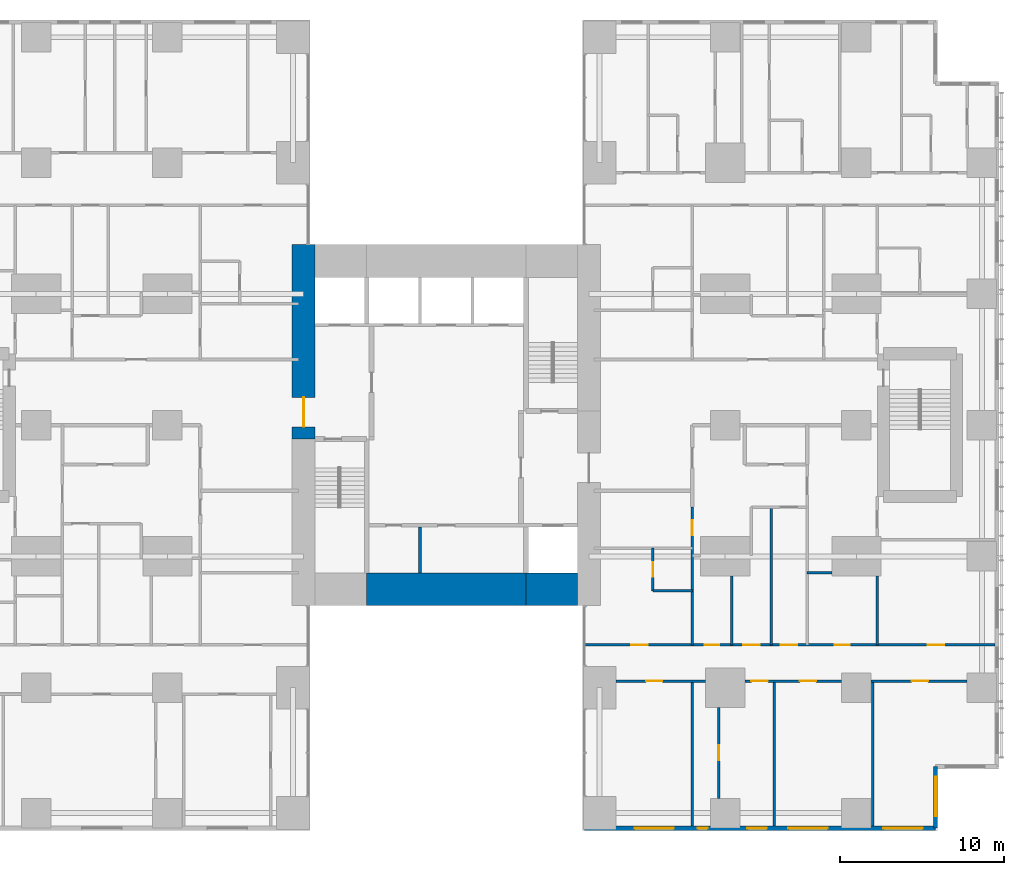
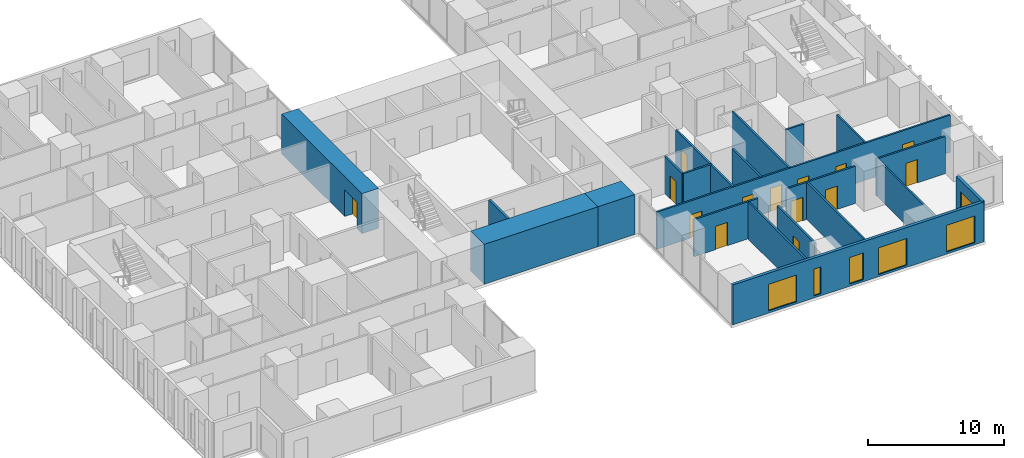
# One storey, part 14 of 20: 21 walls, 14 doors, 6 windows, 20 openings.
"""IFC4 building model written with IfcOpenShell, lengths in metres."""

from ifc_helpers import new_model, si_unit, direction, frame, frame_2d, origin, place, context, subcontext, project, spatial, rectangle, extrude, material, layer, layer_set, type_object, element, fill, save


model = new_model("IFC4")

# Units and contexts
model_context = context("Model", 3, precision=1e-05, world=origin(), true_north=direction((0.0, 1.0)))
body_context = subcontext(model_context, "Body", "Model", "MODEL_VIEW")
ifc_project = project(units=[si_unit("LENGTHUNIT", "METRE"), si_unit("AREAUNIT", "SQUARE_METRE"), si_unit("VOLUMEUNIT", "CUBIC_METRE"), si_unit("PLANEANGLEUNIT", "RADIAN"), si_unit("MASSUNIT", "GRAM", prefix="KILO")], contexts=[model_context])

# Site, building, storey
site_placement = place(None, origin())
site = spatial("IfcSite", under=ifc_project, at=site_placement, CompositionType="ELEMENT")
building_placement = place(site_placement, origin())
building = spatial("IfcBuilding", under=site, at=building_placement, Name="Cleftline Residences", CompositionType="ELEMENT")
storey_placement = place(building_placement, frame((0.0, 0.0, 193.0)))
storey = spatial("IfcBuildingStorey", under=building, at=storey_placement, Name="L50", CompositionType="ELEMENT", Elevation=193.0)

# Wall, opening, door
ifc_material_1 = material(Name="Concrete B70", Category="concrete")
ifc_layer_1 = layer(ifc_material_1, 1.39990234375)
ifc_layer_set_1 = layer_set([ifc_layer_1], Name="CORE WALL 1400")
wall_type_1 = type_object("IfcWallType", Name="CORE WALL 1400", PredefinedType="SHEAR", material=ifc_layer_set_1)
wall_1_placement = place(storey_placement, frame((24.300048828125, 23.14990234375, 0.0), z_axis=(0.0, 0.0, 1.0), x_axis=(0.0, 1.0, 0.0)))
wall_1 = element("IfcWall", 1, at=wall_1_placement, inside=storey, type_object=wall_type_1, Name="Core wall W", PredefinedType="SHEAR", context=body_context, shape_type="SweptSolid", body=[
    extrude(rectangle(XDim=11.85009765625, YDim=1.39990234375, at=frame_2d((5.925048828125, 0.0))), origin(), (0.0, 0.0, 1.0), 3.60009765625),
])
opening_1_placement = place(wall_1_placement, frame((0.75, 0.0, 0.0)))
opening_1 = element("IfcOpeningElement", 2, at=opening_1_placement, cuts=wall_1, Name="Opening D7", PredefinedType="OPENING", context=body_context, shape_type="SweptSolid", body=[
    extrude(rectangle(XDim=1.800048828125, YDim=2.39990234375, at=frame_2d((0.89990234375, 1.199951171875))), frame((0.0, 0.7099609375, 0.0), z_axis=(0.0, -1.0, 0.0), x_axis=(1.0, 0.0, 0.0)), (0.0, 0.0, 1.0), 1.419921875),
])
ifc_material_2 = material(Name="Steel", Category="steel")
door_type_1 = type_object("IfcDoorType", Name="WING DOOR 1800X2400", OperationType="DOUBLE_DOOR_DOUBLE_SWING", PredefinedType="DOOR", material=ifc_material_2)
door_1_placement = place(opening_1_placement, origin())
door_1 = element("IfcDoor", 3, at=door_1_placement, inside=storey, type_object=door_type_1, Name="West wing door", OperationType="DOUBLE_DOOR_DOUBLE_SWING", OverallHeight=2.39990234375, OverallWidth=1.800048828125, PredefinedType="DOOR", context=body_context, shape_type="SweptSolid", body=[
    extrude(rectangle(XDim=1.800048828125, YDim=2.39990234375, at=frame_2d((0.89990234375, 1.199951171875))), frame((0.0, 0.02490234375, 0.0), z_axis=(0.0, -1.0, 0.0), x_axis=(1.0, 0.0, 0.0)), (0.0, 0.0, 1.0), 0.050048828125),
])
fill(opening_1, door_1)

# Walls
ifc_material_3 = material(Name="Concrete B70", Category="concrete")
ifc_layer_2 = layer(ifc_material_3, 2.0)
ifc_layer_set_2 = layer_set([ifc_layer_2], Name="CORE WALL 2000")
wall_type_2 = type_object("IfcWallType", Name="CORE WALL 2000", PredefinedType="SHEAR", material=ifc_layer_set_2)
wall_2_placement = place(storey_placement, frame((28.14990234375, 14.0, 0.0), z_axis=(0.0, 0.0, 1.0), x_axis=(1.0, 0.0, 0.0)))
element("IfcWall", 4, at=wall_2_placement, inside=storey, type_object=wall_type_2, Name="Core wall S2", PredefinedType="SHEAR", context=body_context, shape_type="SweptSolid", body=[
    extrude(rectangle(XDim=9.7001953125, YDim=2.0, at=frame_2d((4.85009765625, 0.0))), origin(), (0.0, 0.0, 1.0), 3.60009765625),
])
wall_3_placement = place(storey_placement, frame((37.85009765625, 14.0, 0.0), z_axis=(0.0, 0.0, 1.0), x_axis=(1.0, 0.0, 0.0)))
element("IfcWall", 5, at=wall_3_placement, inside=storey, type_object=wall_type_2, Name="Core wall S3", PredefinedType="SHEAR", context=body_context, shape_type="SweptSolid", body=[
    extrude(rectangle(XDim=3.14990234375, YDim=2.0, at=frame_2d((1.574951171875, 0.0))), origin(), (0.0, 0.0, 1.0), 3.60009765625),
])

# Wall, openings, windows
ifc_material_4 = material(Name="Rendered reinforced concrete blockwork", Category="masonry")
ifc_layer_3 = layer(ifc_material_4, 0.25)
ifc_layer_set_3 = layer_set([ifc_layer_3], Name="EXTERNAL WALL 250")
wall_type_3 = type_object("IfcWallType", Name="EXTERNAL WALL 250", PredefinedType="SOLIDWALL", material=ifc_layer_set_3)
wall_4_placement = place(storey_placement, frame((41.425048828125, -0.574951171875, 0.0), z_axis=(0.0, 0.0, 1.0), x_axis=(1.0, 0.0, 0.0)))
wall_4 = element("IfcWall", 6, at=wall_4_placement, inside=storey, type_object=wall_type_3, Name="External wall", PredefinedType="SOLIDWALL", context=body_context, shape_type="SweptSolid", body=[
    extrude(rectangle(XDim=21.39990234375, YDim=0.25, at=frame_2d((10.699951171875, 0.0))), origin(), (0.0, 0.0, 1.0), 3.60009765625),
])
opening_2_placement = place(wall_4_placement, frame((3.050048828125, 0.0, 0.199951171875)))
opening_2 = element("IfcOpeningElement", 7, at=opening_2_placement, cuts=wall_4, Name="Opening W9", PredefinedType="OPENING", context=body_context, shape_type="SweptSolid", body=[
    extrude(rectangle(XDim=2.39990234375, YDim=2.39990234375, at=frame_2d((1.199951171875, 1.199951171875))), frame((0.0, 0.135009765625, 0.0), z_axis=(0.0, -1.0, 0.0), x_axis=(1.0, 0.0, 0.0)), (0.0, 0.0, 1.0), 0.27001953125),
])
opening_3_placement = place(wall_4_placement, frame((6.89990234375, 0.0, 0.199951171875)))
opening_3 = element("IfcOpeningElement", 8, at=opening_3_placement, cuts=wall_4, Name="Opening W14", PredefinedType="OPENING", context=body_context, shape_type="SweptSolid", body=[
    extrude(rectangle(XDim=0.60009765625, YDim=2.39990234375, at=frame_2d((0.300048828125, 1.199951171875))), frame((0.0, 0.135009765625, 0.0), z_axis=(0.0, -1.0, 0.0), x_axis=(1.0, 0.0, 0.0)), (0.0, 0.0, 1.0), 0.27001953125),
])
opening_4_placement = place(wall_4_placement, frame((9.925048828125, 0.0, 0.199951171875)))
opening_4 = element("IfcOpeningElement", 9, at=opening_4_placement, cuts=wall_4, Name="Opening W13", PredefinedType="OPENING", context=body_context, shape_type="SweptSolid", body=[
    extrude(rectangle(XDim=1.199951171875, YDim=2.39990234375, at=frame_2d((0.60009765625, 1.199951171875))), frame((0.0, 0.135009765625, 0.0), z_axis=(0.0, -1.0, 0.0), x_axis=(1.0, 0.0, 0.0)), (0.0, 0.0, 1.0), 0.27001953125),
])
opening_5_placement = place(wall_4_placement, frame((12.425048828125, 0.0, 0.199951171875)))
opening_5 = element("IfcOpeningElement", 10, at=opening_5_placement, cuts=wall_4, Name="Opening W9", PredefinedType="OPENING", context=body_context, shape_type="SweptSolid", body=[
    extrude(rectangle(XDim=2.39990234375, YDim=2.39990234375, at=frame_2d((1.199951171875, 1.199951171875))), frame((0.0, 0.135009765625, 0.0), z_axis=(0.0, -1.0, 0.0), x_axis=(1.0, 0.0, 0.0)), (0.0, 0.0, 1.0), 0.27001953125),
])
opening_6_placement = place(wall_4_placement, frame((18.22509765625, 0.0, 0.199951171875)))
opening_6 = element("IfcOpeningElement", 11, at=opening_6_placement, cuts=wall_4, Name="Opening W9", PredefinedType="OPENING", context=body_context, shape_type="SweptSolid", body=[
    extrude(rectangle(XDim=2.39990234375, YDim=2.39990234375, at=frame_2d((1.199951171875, 1.199951171875))), frame((0.0, 0.135009765625, 0.0), z_axis=(0.0, -1.0, 0.0), x_axis=(1.0, 0.0, 0.0)), (0.0, 0.0, 1.0), 0.27001953125),
])
ifc_material_5 = material(Name="Aluminium frame, clear double glazing", Category="aluminium")
window_type_1 = type_object("IfcWindowType", Name="WINDOW 1200X2400", PartitioningType="DOUBLE_PANEL_VERTICAL", PredefinedType="WINDOW", material=ifc_material_5)
window_1_placement = place(opening_4_placement, origin())
window_1 = element("IfcWindow", 12, at=window_1_placement, inside=storey, type_object=window_type_1, Name="Window", OverallHeight=2.39990234375, OverallWidth=1.199951171875, PartitioningType="SINGLE_PANEL", PredefinedType="WINDOW", context=body_context, shape_type="SweptSolid", body=[
    extrude(rectangle(XDim=1.199951171875, YDim=2.39990234375, at=frame_2d((0.60009765625, 1.199951171875))), frame((0.0, 0.030029296875, 0.0), z_axis=(0.0, -1.0, 0.0), x_axis=(1.0, 0.0, 0.0)), (0.0, 0.0, 1.0), 0.06005859375),
])
fill(opening_4, window_1)
ifc_material_6 = material(Name="Aluminium frame, clear double glazing", Category="aluminium")
window_type_2 = type_object("IfcWindowType", Name="WINDOW 2400X2400", PartitioningType="DOUBLE_PANEL_VERTICAL", PredefinedType="WINDOW", material=ifc_material_6)
window_2_placement = place(opening_2_placement, origin())
window_2 = element("IfcWindow", 13, at=window_2_placement, inside=storey, type_object=window_type_2, Name="Window", OverallHeight=2.39990234375, OverallWidth=2.39990234375, PartitioningType="SINGLE_PANEL", PredefinedType="WINDOW", context=body_context, shape_type="SweptSolid", body=[
    extrude(rectangle(XDim=2.39990234375, YDim=2.39990234375, at=frame_2d((1.199951171875, 1.199951171875))), frame((0.0, 0.030029296875, 0.0), z_axis=(0.0, -1.0, 0.0), x_axis=(1.0, 0.0, 0.0)), (0.0, 0.0, 1.0), 0.06005859375),
])
fill(opening_2, window_2)
window_3_placement = place(opening_5_placement, origin())
window_3 = element("IfcWindow", 14, at=window_3_placement, inside=storey, type_object=window_type_2, Name="Window", OverallHeight=2.39990234375, OverallWidth=2.39990234375, PartitioningType="SINGLE_PANEL", PredefinedType="WINDOW", context=body_context, shape_type="SweptSolid", body=[
    extrude(rectangle(XDim=2.39990234375, YDim=2.39990234375, at=frame_2d((1.199951171875, 1.199951171875))), frame((0.0, 0.030029296875, 0.0), z_axis=(0.0, -1.0, 0.0), x_axis=(1.0, 0.0, 0.0)), (0.0, 0.0, 1.0), 0.06005859375),
])
fill(opening_5, window_3)
window_4_placement = place(opening_6_placement, origin())
window_4 = element("IfcWindow", 15, at=window_4_placement, inside=storey, type_object=window_type_2, Name="Window", OverallHeight=2.39990234375, OverallWidth=2.39990234375, PartitioningType="SINGLE_PANEL", PredefinedType="WINDOW", context=body_context, shape_type="SweptSolid", body=[
    extrude(rectangle(XDim=2.39990234375, YDim=2.39990234375, at=frame_2d((1.199951171875, 1.199951171875))), frame((0.0, 0.030029296875, 0.0), z_axis=(0.0, -1.0, 0.0), x_axis=(1.0, 0.0, 0.0)), (0.0, 0.0, 1.0), 0.06005859375),
])
fill(opening_6, window_4)
ifc_material_7 = material(Name="Aluminium frame, clear double glazing", Category="aluminium")
window_type_3 = type_object("IfcWindowType", Name="WINDOW 600X2400", PartitioningType="DOUBLE_PANEL_VERTICAL", PredefinedType="WINDOW", material=ifc_material_7)
window_5_placement = place(opening_3_placement, origin())
window_5 = element("IfcWindow", 16, at=window_5_placement, inside=storey, type_object=window_type_3, Name="Window", OverallHeight=2.39990234375, OverallWidth=0.60009765625, PartitioningType="SINGLE_PANEL", PredefinedType="WINDOW", context=body_context, shape_type="SweptSolid", body=[
    extrude(rectangle(XDim=0.60009765625, YDim=2.39990234375, at=frame_2d((0.300048828125, 1.199951171875))), frame((0.0, 0.030029296875, 0.0), z_axis=(0.0, -1.0, 0.0), x_axis=(1.0, 0.0, 0.0)), (0.0, 0.0, 1.0), 0.06005859375),
])
fill(opening_3, window_5)

# Wall, opening, window
wall_5_placement = place(storey_placement, frame((62.824951171875, -0.574951171875, 0.0), z_axis=(0.0, 0.0, 1.0), x_axis=(0.0, 1.0, 0.0)))
wall_5 = element("IfcWall", 17, at=wall_5_placement, inside=storey, type_object=wall_type_3, Name="External wall", PredefinedType="SOLIDWALL", context=body_context, shape_type="SweptSolid", body=[
    extrude(rectangle(XDim=3.75, YDim=0.25, at=frame_2d((1.875, 0.0))), origin(), (0.0, 0.0, 1.0), 3.60009765625),
])
opening_7_placement = place(wall_5_placement, frame((0.737548828125, 0.0, 0.199951171875)))
opening_7 = element("IfcOpeningElement", 18, at=opening_7_placement, cuts=wall_5, Name="Opening W9", PredefinedType="OPENING", context=body_context, shape_type="SweptSolid", body=[
    extrude(rectangle(XDim=2.39990234375, YDim=2.39990234375, at=frame_2d((1.199951171875, 1.199951171875))), frame((0.0, 0.135009765625, 0.0), z_axis=(0.0, -1.0, 0.0), x_axis=(1.0, 0.0, 0.0)), (0.0, 0.0, 1.0), 0.27001953125),
])
window_6_placement = place(opening_7_placement, origin())
window_6 = element("IfcWindow", 19, at=window_6_placement, inside=storey, type_object=window_type_2, Name="Window", OverallHeight=2.39990234375, OverallWidth=2.39990234375, PartitioningType="SINGLE_PANEL", PredefinedType="WINDOW", context=body_context, shape_type="SweptSolid", body=[
    extrude(rectangle(XDim=2.39990234375, YDim=2.39990234375, at=frame_2d((1.199951171875, 1.199951171875))), frame((0.0, 0.030029296875, 0.0), z_axis=(0.0, -1.0, 0.0), x_axis=(1.0, 0.0, 0.0)), (0.0, 0.0, 1.0), 0.06005859375),
])
fill(opening_7, window_6)

# Wall, opening, door
ifc_material_8 = material(Name="Gypsum board on steel studs", Category="steel")
ifc_layer_4 = layer(ifc_material_8, 0.14990234375)
ifc_layer_set_4 = layer_set([ifc_layer_4], Name="PARTITION 150")
wall_type_4 = type_object("IfcWallType", Name="PARTITION 150", PredefinedType="PARTITIONING", material=ifc_layer_set_4)
wall_6_placement = place(storey_placement, frame((43.35009765625, 8.39990234375, 0.0), z_axis=(0.0, 0.0, 1.0), x_axis=(1.0, 0.0, 0.0)))
wall_6 = element("IfcWall", 20, at=wall_6_placement, inside=storey, type_object=wall_type_4, Name="Partition", PredefinedType="PARTITIONING", context=body_context, shape_type="SweptSolid", body=[
    extrude(rectangle(XDim=5.449951171875, YDim=0.14990234375, at=frame_2d((2.72509765625, 0.0))), origin(), (0.0, 0.0, 1.0), 3.35009765625),
])
opening_8_placement = place(wall_6_placement, frame((1.824951171875, 0.0, 0.0)))
opening_8 = element("IfcOpeningElement", 21, at=opening_8_placement, cuts=wall_6, Name="Opening D2", PredefinedType="OPENING", context=body_context, shape_type="SweptSolid", body=[
    extrude(rectangle(XDim=1.0, YDim=2.10009765625, at=frame_2d((0.5, 1.050048828125))), frame((0.0, 0.0849609375, 0.0), z_axis=(0.0, -1.0, 0.0), x_axis=(1.0, 0.0, 0.0)), (0.0, 0.0, 1.0), 0.169921875),
])
ifc_material_9 = material(Name="Timber veneer on solid core", Category="wood")
door_type_2 = type_object("IfcDoorType", Name="DOOR 1000X2100", OperationType="SINGLE_SWING_LEFT", PredefinedType="DOOR", material=ifc_material_9)
door_2_placement = place(opening_8_placement, origin())
door_2 = element("IfcDoor", 22, at=door_2_placement, inside=storey, type_object=door_type_2, Name="Door to breakfast room", OperationType="SINGLE_SWING_RIGHT", OverallHeight=2.10009765625, OverallWidth=1.0, PredefinedType="DOOR", context=body_context, shape_type="SweptSolid", body=[
    extrude(rectangle(XDim=1.0, YDim=2.10009765625, at=frame_2d((0.5, 1.050048828125))), frame((0.0, 0.02490234375, 0.0), z_axis=(0.0, -1.0, 0.0), x_axis=(1.0, 0.0, 0.0)), (0.0, 0.0, 1.0), 0.050048828125),
])
fill(opening_8, door_2)

# Wall, openings, doors
wall_7_placement = place(storey_placement, frame((51.199951171875, 8.39990234375, 0.0), z_axis=(0.0, 0.0, 1.0), x_axis=(1.0, 0.0, 0.0)))
wall_7 = element("IfcWall", 23, at=wall_7_placement, inside=storey, type_object=wall_type_4, Name="Partition", PredefinedType="PARTITIONING", context=body_context, shape_type="SweptSolid", body=[
    extrude(rectangle(XDim=5.900146484375, YDim=0.14990234375, at=frame_2d((2.9501953125, 0.0))), origin(), (0.0, 0.0, 1.0), 3.35009765625),
])
opening_9_placement = place(wall_7_placement, frame((3.35009765625, 0.0, 0.0)))
opening_9 = element("IfcOpeningElement", 24, at=opening_9_placement, cuts=wall_7, Name="Opening D2", PredefinedType="OPENING", context=body_context, shape_type="SweptSolid", body=[
    extrude(rectangle(XDim=1.0, YDim=2.10009765625, at=frame_2d((0.5, 1.050048828125))), frame((0.0, 0.0849609375, 0.0), z_axis=(0.0, -1.0, 0.0), x_axis=(1.0, 0.0, 0.0)), (0.0, 0.0, 1.0), 0.169921875),
])
opening_10_placement = place(wall_7_placement, frame((0.39990234375, 0.0, 0.0)))
opening_10 = element("IfcOpeningElement", 25, at=opening_10_placement, cuts=wall_7, Name="Opening D2", PredefinedType="OPENING", context=body_context, shape_type="SweptSolid", body=[
    extrude(rectangle(XDim=1.0, YDim=2.10009765625, at=frame_2d((0.5, 1.050048828125))), frame((0.0, 0.0849609375, 0.0), z_axis=(0.0, -1.0, 0.0), x_axis=(1.0, 0.0, 0.0)), (0.0, 0.0, 1.0), 0.169921875),
])
door_3_placement = place(opening_9_placement, origin())
door_3 = element("IfcDoor", 26, at=door_3_placement, inside=storey, type_object=door_type_2, Name="Door to dining room", OperationType="SINGLE_SWING_LEFT", OverallHeight=2.10009765625, OverallWidth=1.0, PredefinedType="DOOR", context=body_context, shape_type="SweptSolid", body=[
    extrude(rectangle(XDim=1.0, YDim=2.10009765625, at=frame_2d((0.5, 1.050048828125))), frame((0.0, 0.02490234375, 0.0), z_axis=(0.0, -1.0, 0.0), x_axis=(1.0, 0.0, 0.0)), (0.0, 0.0, 1.0), 0.050048828125),
])
fill(opening_9, door_3)
door_4_placement = place(opening_10_placement, origin())
door_4 = element("IfcDoor", 27, at=door_4_placement, inside=storey, type_object=door_type_2, Name="Door to show kitchen", OperationType="SINGLE_SWING_RIGHT", OverallHeight=2.10009765625, OverallWidth=1.0, PredefinedType="DOOR", context=body_context, shape_type="SweptSolid", body=[
    extrude(rectangle(XDim=1.0, YDim=2.10009765625, at=frame_2d((0.5, 1.050048828125))), frame((0.0, 0.02490234375, 0.0), z_axis=(0.0, -1.0, 0.0), x_axis=(1.0, 0.0, 0.0)), (0.0, 0.0, 1.0), 0.050048828125),
])
fill(opening_10, door_4)

# Wall, opening, door
wall_8_placement = place(storey_placement, frame((58.89990234375, 8.39990234375, 0.0), z_axis=(0.0, 0.0, 1.0), x_axis=(1.0, 0.0, 0.0)))
wall_8 = element("IfcWall", 28, at=wall_8_placement, inside=storey, type_object=wall_type_4, Name="Partition", PredefinedType="PARTITIONING", context=body_context, shape_type="SweptSolid", body=[
    extrude(rectangle(XDim=5.85009765625, YDim=0.14990234375, at=frame_2d((2.925048828125, 0.0))), origin(), (0.0, 0.0, 1.0), 3.35009765625),
])
opening_11_placement = place(wall_8_placement, frame((2.47509765625, 0.0, 0.0)))
opening_11 = element("IfcOpeningElement", 29, at=opening_11_placement, cuts=wall_8, Name="Opening D2", PredefinedType="OPENING", context=body_context, shape_type="SweptSolid", body=[
    extrude(rectangle(XDim=1.0, YDim=2.10009765625, at=frame_2d((0.5, 1.050048828125))), frame((0.0, 0.0849609375, 0.0), z_axis=(0.0, -1.0, 0.0), x_axis=(1.0, 0.0, 0.0)), (0.0, 0.0, 1.0), 0.169921875),
])
door_5_placement = place(opening_11_placement, origin())
door_5 = element("IfcDoor", 30, at=door_5_placement, inside=storey, type_object=door_type_2, Name="Door to music room", OperationType="SINGLE_SWING_LEFT", OverallHeight=2.10009765625, OverallWidth=1.0, PredefinedType="DOOR", context=body_context, shape_type="SweptSolid", body=[
    extrude(rectangle(XDim=1.0, YDim=2.10009765625, at=frame_2d((0.5, 1.050048828125))), frame((0.0, 0.02490234375, 0.0), z_axis=(0.0, -1.0, 0.0), x_axis=(1.0, 0.0, 0.0)), (0.0, 0.0, 1.0), 0.050048828125),
])
fill(opening_11, door_5)

# Wall, openings, doors
wall_9_placement = place(storey_placement, frame((41.43896484375, 10.60009765625, 0.0), z_axis=(0.0, 0.0, 1.0), x_axis=(1.0, 0.0, 0.0)))
wall_9 = element("IfcWall", 31, at=wall_9_placement, inside=storey, type_object=wall_type_4, Name="Partition", PredefinedType="PARTITIONING", context=body_context, shape_type="SweptSolid", body=[
    extrude(rectangle(XDim=25.010986328125, YDim=0.14990234375, at=frame_2d((12.50537109375, 0.0))), origin(), (0.0, 0.0, 1.0), 3.35009765625),
])
opening_12_placement = place(wall_9_placement, frame((11.9609375, 0.0, 0.0)))
opening_12 = element("IfcOpeningElement", 32, at=opening_12_placement, cuts=wall_9, Name="Opening D2", PredefinedType="OPENING", context=body_context, shape_type="SweptSolid", body=[
    extrude(rectangle(XDim=1.0, YDim=2.10009765625, at=frame_2d((0.5, 1.050048828125))), frame((0.0, 0.0849609375, 0.0), z_axis=(0.0, -1.0, 0.0), x_axis=(1.0, 0.0, 0.0)), (0.0, 0.0, 1.0), 0.169921875),
])
opening_13_placement = place(wall_9_placement, frame((20.923583984375, 0.0, 0.0)))
opening_13 = element("IfcOpeningElement", 33, at=opening_13_placement, cuts=wall_9, Name="Opening D2", PredefinedType="OPENING", context=body_context, shape_type="SweptSolid", body=[
    extrude(rectangle(XDim=1.0, YDim=2.10009765625, at=frame_2d((0.5, 1.050048828125))), frame((0.0, 0.0849609375, 0.0), z_axis=(0.0, -1.0, 0.0), x_axis=(1.0, 0.0, 0.0)), (0.0, 0.0, 1.0), 0.169921875),
])
opening_14_placement = place(wall_9_placement, frame((15.24853515625, 0.0, 0.0)))
opening_14 = element("IfcOpeningElement", 34, at=opening_14_placement, cuts=wall_9, Name="Opening D1", PredefinedType="OPENING", context=body_context, shape_type="SweptSolid", body=[
    extrude(rectangle(XDim=0.89990234375, YDim=2.10009765625, at=frame_2d((0.449951171875, 1.050048828125))), frame((0.0, 0.0849609375, 0.0), z_axis=(0.0, -1.0, 0.0), x_axis=(1.0, 0.0, 0.0)), (0.0, 0.0, 1.0), 0.169921875),
])
opening_15_placement = place(wall_9_placement, frame((9.660888671875, 0.0, 0.0)))
opening_15 = element("IfcOpeningElement", 35, at=opening_15_placement, cuts=wall_9, Name="Opening D2", PredefinedType="OPENING", context=body_context, shape_type="SweptSolid", body=[
    extrude(rectangle(XDim=1.0, YDim=2.10009765625, at=frame_2d((0.5, 1.050048828125))), frame((0.0, 0.0849609375, 0.0), z_axis=(0.0, -1.0, 0.0), x_axis=(1.0, 0.0, 0.0)), (0.0, 0.0, 1.0), 0.169921875),
])
opening_16_placement = place(wall_9_placement, frame((7.31103515625, 0.0, 0.0)))
opening_16 = element("IfcOpeningElement", 36, at=opening_16_placement, cuts=wall_9, Name="Opening D1", PredefinedType="OPENING", context=body_context, shape_type="SweptSolid", body=[
    extrude(rectangle(XDim=0.89990234375, YDim=2.10009765625, at=frame_2d((0.449951171875, 1.050048828125))), frame((0.0, 0.0849609375, 0.0), z_axis=(0.0, -1.0, 0.0), x_axis=(1.0, 0.0, 0.0)), (0.0, 0.0, 1.0), 0.169921875),
])
opening_17_placement = place(wall_9_placement, frame((2.8359375, 0.0, 0.0)))
opening_17 = element("IfcOpeningElement", 37, at=opening_17_placement, cuts=wall_9, Name="Opening D2", PredefinedType="OPENING", context=body_context, shape_type="SweptSolid", body=[
    extrude(rectangle(XDim=1.0, YDim=2.10009765625, at=frame_2d((0.5, 1.050048828125))), frame((0.0, 0.0849609375, 0.0), z_axis=(0.0, -1.0, 0.0), x_axis=(1.0, 0.0, 0.0)), (0.0, 0.0, 1.0), 0.169921875),
])
door_6_placement = place(opening_12_placement, origin())
door_6 = element("IfcDoor", 38, at=door_6_placement, inside=storey, type_object=door_type_2, Name="Door to residence hall", OperationType="SINGLE_SWING_RIGHT", OverallHeight=2.10009765625, OverallWidth=1.0, PredefinedType="DOOR", context=body_context, shape_type="SweptSolid", body=[
    extrude(rectangle(XDim=1.0, YDim=2.10009765625, at=frame_2d((0.5, 1.050048828125))), frame((0.0, 0.02490234375, 0.0), z_axis=(0.0, -1.0, 0.0), x_axis=(1.0, 0.0, 0.0)), (0.0, 0.0, 1.0), 0.050048828125),
])
fill(opening_12, door_6)
door_7_placement = place(opening_13_placement, origin())
door_7 = element("IfcDoor", 39, at=door_7_placement, inside=storey, type_object=door_type_2, Name="Door to sea-view great room", OperationType="SINGLE_SWING_LEFT", OverallHeight=2.10009765625, OverallWidth=1.0, PredefinedType="DOOR", context=body_context, shape_type="SweptSolid", body=[
    extrude(rectangle(XDim=1.0, YDim=2.10009765625, at=frame_2d((0.5, 1.050048828125))), frame((0.0, 0.02490234375, 0.0), z_axis=(0.0, -1.0, 0.0), x_axis=(1.0, 0.0, 0.0)), (0.0, 0.0, 1.0), 0.050048828125),
])
fill(opening_13, door_7)
door_8_placement = place(opening_15_placement, origin())
door_8 = element("IfcDoor", 40, at=door_8_placement, inside=storey, type_object=door_type_2, Name="Door to wet kitchen", OperationType="SINGLE_SWING_RIGHT", OverallHeight=2.10009765625, OverallWidth=1.0, PredefinedType="DOOR", context=body_context, shape_type="SweptSolid", body=[
    extrude(rectangle(XDim=1.0, YDim=2.10009765625, at=frame_2d((0.5, 1.050048828125))), frame((0.0, 0.02490234375, 0.0), z_axis=(0.0, -1.0, 0.0), x_axis=(1.0, 0.0, 0.0)), (0.0, 0.0, 1.0), 0.050048828125),
])
fill(opening_15, door_8)
door_9_placement = place(opening_17_placement, origin())
door_9 = element("IfcDoor", 41, at=door_9_placement, inside=storey, type_object=door_type_2, Name="Door to staff bedroom", OperationType="SINGLE_SWING_RIGHT", OverallHeight=2.10009765625, OverallWidth=1.0, PredefinedType="DOOR", context=body_context, shape_type="SweptSolid", body=[
    extrude(rectangle(XDim=1.0, YDim=2.10009765625, at=frame_2d((0.5, 1.050048828125))), frame((0.0, 0.02490234375, 0.0), z_axis=(0.0, -1.0, 0.0), x_axis=(1.0, 0.0, 0.0)), (0.0, 0.0, 1.0), 0.050048828125),
])
fill(opening_17, door_9)
ifc_material_10 = material(Name="Timber veneer on solid core", Category="wood")
door_type_3 = type_object("IfcDoorType", Name="DOOR 900X2100", OperationType="SINGLE_SWING_LEFT", PredefinedType="DOOR", material=ifc_material_10)
door_10_placement = place(opening_14_placement, origin())
door_10 = element("IfcDoor", 42, at=door_10_placement, inside=storey, type_object=door_type_3, Name="Door to wine room", OperationType="SINGLE_SWING_LEFT", OverallHeight=2.10009765625, OverallWidth=0.89990234375, PredefinedType="DOOR", context=body_context, shape_type="SweptSolid", body=[
    extrude(rectangle(XDim=0.89990234375, YDim=2.10009765625, at=frame_2d((0.449951171875, 1.050048828125))), frame((0.0, 0.02490234375, 0.0), z_axis=(0.0, -1.0, 0.0), x_axis=(1.0, 0.0, 0.0)), (0.0, 0.0, 1.0), 0.050048828125),
])
fill(opening_14, door_10)
door_11_placement = place(opening_16_placement, origin())
door_11 = element("IfcDoor", 43, at=door_11_placement, inside=storey, type_object=door_type_3, Name="Door to pantry", OperationType="SINGLE_SWING_RIGHT", OverallHeight=2.10009765625, OverallWidth=0.89990234375, PredefinedType="DOOR", context=body_context, shape_type="SweptSolid", body=[
    extrude(rectangle(XDim=0.89990234375, YDim=2.10009765625, at=frame_2d((0.449951171875, 1.050048828125))), frame((0.0, 0.02490234375, 0.0), z_axis=(0.0, -1.0, 0.0), x_axis=(1.0, 0.0, 0.0)), (0.0, 0.0, 1.0), 0.050048828125),
])
fill(opening_16, door_11)

# Walls
wall_10_placement = place(storey_placement, frame((45.60009765625, 13.89990234375, 0.0), z_axis=(0.0, 0.0, 1.0), x_axis=(1.0, 0.0, 0.0)))
element("IfcWall", 44, at=wall_10_placement, inside=storey, type_object=wall_type_4, Name="Partition", PredefinedType="PARTITIONING", context=body_context, shape_type="SweptSolid", body=[
    extrude(rectangle(XDim=2.39990234375, YDim=0.14990234375, at=frame_2d((1.199951171875, 0.0))), origin(), (0.0, 0.0, 1.0), 3.35009765625),
])
wall_11_placement = place(storey_placement, frame((55.0, 15.0, 0.0), z_axis=(0.0, 0.0, 1.0), x_axis=(1.0, 0.0, 0.0)))
element("IfcWall", 45, at=wall_11_placement, inside=storey, type_object=wall_type_4, Name="Partition", PredefinedType="PARTITIONING", context=body_context, shape_type="SweptSolid", body=[
    extrude(rectangle(XDim=1.5, YDim=0.14990234375, at=frame_2d((0.75, 0.0))), origin(), (0.0, 0.0, 1.0), 3.35009765625),
])

# Wall, opening, door
wall_12_placement = place(storey_placement, frame((45.60009765625, 13.89990234375, 0.0), z_axis=(0.0, 0.0, 1.0), x_axis=(0.0, 1.0, 0.0)))
wall_12 = element("IfcWall", 46, at=wall_12_placement, inside=storey, type_object=wall_type_4, Name="Partition", PredefinedType="PARTITIONING", context=body_context, shape_type="SweptSolid", body=[
    extrude(rectangle(XDim=2.60009765625, YDim=0.14990234375, at=frame_2d((1.300048828125, 0.0))), origin(), (0.0, 0.0, 1.0), 3.35009765625),
])
opening_18_placement = place(wall_12_placement, frame((0.85009765625, 0.0, 0.0)))
opening_18 = element("IfcOpeningElement", 47, at=opening_18_placement, cuts=wall_12, Name="Opening D1", PredefinedType="OPENING", context=body_context, shape_type="SweptSolid", body=[
    extrude(rectangle(XDim=0.89990234375, YDim=2.10009765625, at=frame_2d((0.449951171875, 1.050048828125))), frame((0.0, 0.0849609375, 0.0), z_axis=(0.0, -1.0, 0.0), x_axis=(1.0, 0.0, 0.0)), (0.0, 0.0, 1.0), 0.169921875),
])
door_12_placement = place(opening_18_placement, origin())
door_12 = element("IfcDoor", 48, at=door_12_placement, inside=storey, type_object=door_type_3, Name="Door to staff shower room", OperationType="SINGLE_SWING_LEFT", OverallHeight=2.10009765625, OverallWidth=0.89990234375, PredefinedType="DOOR", context=body_context, shape_type="SweptSolid", body=[
    extrude(rectangle(XDim=0.89990234375, YDim=2.10009765625, at=frame_2d((0.449951171875, 1.050048828125))), frame((0.0, 0.02490234375, 0.0), z_axis=(0.0, -1.0, 0.0), x_axis=(1.0, 0.0, 0.0)), (0.0, 0.0, 1.0), 0.050048828125),
])
fill(opening_18, door_12)

# Wall
wall_13_placement = place(storey_placement, frame((48.0, -0.449951171875, 0.0), z_axis=(0.0, 0.0, 1.0), x_axis=(0.0, 1.0, 0.0)))
element("IfcWall", 49, at=wall_13_placement, inside=storey, type_object=wall_type_4, Name="Partition", PredefinedType="PARTITIONING", context=body_context, shape_type="SweptSolid", body=[
    extrude(rectangle(XDim=8.849853515625, YDim=0.14990234375, at=frame_2d((4.4248046875, 0.0))), origin(), (0.0, 0.0, 1.0), 3.35009765625),
])

# Wall, opening, door
wall_14_placement = place(storey_placement, frame((48.0, 10.60009765625, 0.0), z_axis=(0.0, 0.0, 1.0), x_axis=(0.0, 1.0, 0.0)))
wall_14 = element("IfcWall", 50, at=wall_14_placement, inside=storey, type_object=wall_type_4, Name="Partition", PredefinedType="PARTITIONING", context=body_context, shape_type="SweptSolid", body=[
    extrude(rectangle(XDim=8.39990234375, YDim=0.14990234375, at=frame_2d((4.199951171875, 0.0))), origin(), (0.0, 0.0, 1.0), 3.35009765625),
])
opening_19_placement = place(wall_14_placement, frame((6.699951171875, 0.0, 0.0)))
opening_19 = element("IfcOpeningElement", 51, at=opening_19_placement, cuts=wall_14, Name="Opening D1", PredefinedType="OPENING", context=body_context, shape_type="SweptSolid", body=[
    extrude(rectangle(XDim=0.89990234375, YDim=2.10009765625, at=frame_2d((0.449951171875, 1.050048828125))), frame((0.0, 0.0849609375, 0.0), z_axis=(0.0, -1.0, 0.0), x_axis=(1.0, 0.0, 0.0)), (0.0, 0.0, 1.0), 0.169921875),
])
door_13_placement = place(opening_19_placement, origin())
door_13 = element("IfcDoor", 52, at=door_13_placement, inside=storey, type_object=door_type_3, Name="Door to drying loggia", OperationType="SINGLE_SWING_LEFT", OverallHeight=2.10009765625, OverallWidth=0.89990234375, PredefinedType="DOOR", context=body_context, shape_type="SweptSolid", body=[
    extrude(rectangle(XDim=0.89990234375, YDim=2.10009765625, at=frame_2d((0.449951171875, 1.050048828125))), frame((0.0, 0.02490234375, 0.0), z_axis=(0.0, -1.0, 0.0), x_axis=(1.0, 0.0, 0.0)), (0.0, 0.0, 1.0), 0.050048828125),
])
fill(opening_19, door_13)

wall_15_placement = place(storey_placement, frame((49.60009765625, 1.25, 0.0), z_axis=(0.0, 0.0, 1.0), x_axis=(0.0, 1.0, 0.0)))
wall_15 = element("IfcWall", 53, at=wall_15_placement, inside=storey, type_object=wall_type_4, Name="Partition", PredefinedType="PARTITIONING", context=body_context, shape_type="SweptSolid", body=[
    extrude(rectangle(XDim=5.550048828125, YDim=0.14990234375, at=frame_2d((2.77490234375, 0.0))), origin(), (0.0, 0.0, 1.0), 3.35009765625),
])
opening_20_placement = place(wall_15_placement, frame((2.324951171875, 0.0, 0.0)))
opening_20 = element("IfcOpeningElement", 54, at=opening_20_placement, cuts=wall_15, Name="Opening D1", PredefinedType="OPENING", context=body_context, shape_type="SweptSolid", body=[
    extrude(rectangle(XDim=0.89990234375, YDim=2.10009765625, at=frame_2d((0.449951171875, 1.050048828125))), frame((0.0, 0.0849609375, 0.0), z_axis=(0.0, -1.0, 0.0), x_axis=(1.0, 0.0, 0.0)), (0.0, 0.0, 1.0), 0.169921875),
])
door_14_placement = place(opening_20_placement, origin())
door_14 = element("IfcDoor", 55, at=door_14_placement, inside=storey, type_object=door_type_3, Name="Door to larder", OperationType="SINGLE_SWING_LEFT", OverallHeight=2.10009765625, OverallWidth=0.89990234375, PredefinedType="DOOR", context=body_context, shape_type="SweptSolid", body=[
    extrude(rectangle(XDim=0.89990234375, YDim=2.10009765625, at=frame_2d((0.449951171875, 1.050048828125))), frame((0.0, 0.02490234375, 0.0), z_axis=(0.0, -1.0, 0.0), x_axis=(1.0, 0.0, 0.0)), (0.0, 0.0, 1.0), 0.050048828125),
])
fill(opening_20, door_14)

# Walls
wall_16_placement = place(storey_placement, frame((50.39990234375, 10.60009765625, 0.0), z_axis=(0.0, 0.0, 1.0), x_axis=(0.0, 1.0, 0.0)))
element("IfcWall", 56, at=wall_16_placement, inside=storey, type_object=wall_type_4, Name="Partition", PredefinedType="PARTITIONING", context=body_context, shape_type="SweptSolid", body=[
    extrude(rectangle(XDim=4.199951171875, YDim=0.14990234375, at=frame_2d((2.10009765625, 0.0))), origin(), (0.0, 0.0, 1.0), 3.35009765625),
])
wall_17_placement = place(storey_placement, frame((52.800048828125, 10.60009765625, 0.0), z_axis=(0.0, 0.0, 1.0), x_axis=(0.0, 1.0, 0.0)))
element("IfcWall", 57, at=wall_17_placement, inside=storey, type_object=wall_type_4, Name="Partition", PredefinedType="PARTITIONING", context=body_context, shape_type="SweptSolid", body=[
    extrude(rectangle(XDim=8.39990234375, YDim=0.14990234375, at=frame_2d((4.199951171875, 0.0))), origin(), (0.0, 0.0, 1.0), 3.35009765625),
])
for number, where, z_axis, x_axis, name in (
    (58, (53.0, -0.449951171875, 0.0), (0.0, 0.0, 1.0), (0.0, 1.0, 0.0), "Partition"),
    (59, (59.0, -0.449951171875, 0.0), (0.0, 0.0, 1.0), (0.0, 1.0, 0.0), "Partition"),
):
    element("IfcWall", number, at=place(storey_placement, frame(where, z_axis=z_axis, x_axis=x_axis)), inside=storey, type_object=wall_type_4, Name=name, PredefinedType="PARTITIONING", context=body_context, shape_type="SweptSolid", body=[
        extrude(rectangle(XDim=8.849853515625, YDim=0.14990234375, at=frame_2d((4.4248046875, 0.0))), origin(), (0.0, 0.0, 1.0), 3.35009765625),
    ])
wall_18_placement = place(storey_placement, frame((59.27490234375, 10.60009765625, 0.0), z_axis=(0.0, 0.0, 1.0), x_axis=(0.0, 1.0, 0.0)))
element("IfcWall", 60, at=wall_18_placement, inside=storey, type_object=wall_type_4, Name="Partition", PredefinedType="PARTITIONING", context=body_context, shape_type="SweptSolid", body=[
    extrude(rectangle(XDim=4.199951171875, YDim=0.14990234375, at=frame_2d((2.10009765625, 0.0))), origin(), (0.0, 0.0, 1.0), 3.35009765625),
])
ifc_material_11 = material(Name="Concrete blockwork, fire rated", Category="masonry")
ifc_layer_5 = layer(ifc_material_11, 0.199951171875)
ifc_layer_set_5 = layer_set([ifc_layer_5], Name="SHAFT WALL 200")
wall_type_5 = type_object("IfcWallType", Name="SHAFT WALL 200", PredefinedType="PARTITIONING", material=ifc_layer_set_5)
wall_19_placement = place(storey_placement, frame((31.39990234375, 15.0, 0.0), z_axis=(0.0, 0.0, 1.0), x_axis=(0.0, 1.0, 0.0)))
element("IfcWall", 61, at=wall_19_placement, inside=storey, type_object=wall_type_5, Name="Core room wall", PredefinedType="PARTITIONING", context=body_context, shape_type="SweptSolid", body=[
    extrude(rectangle(XDim=2.800048828125, YDim=0.199951171875, at=frame_2d((1.39990234375, 0.0))), origin(), (0.0, 0.0, 1.0), 3.60009765625),
])

save(model, "model.ifc")
